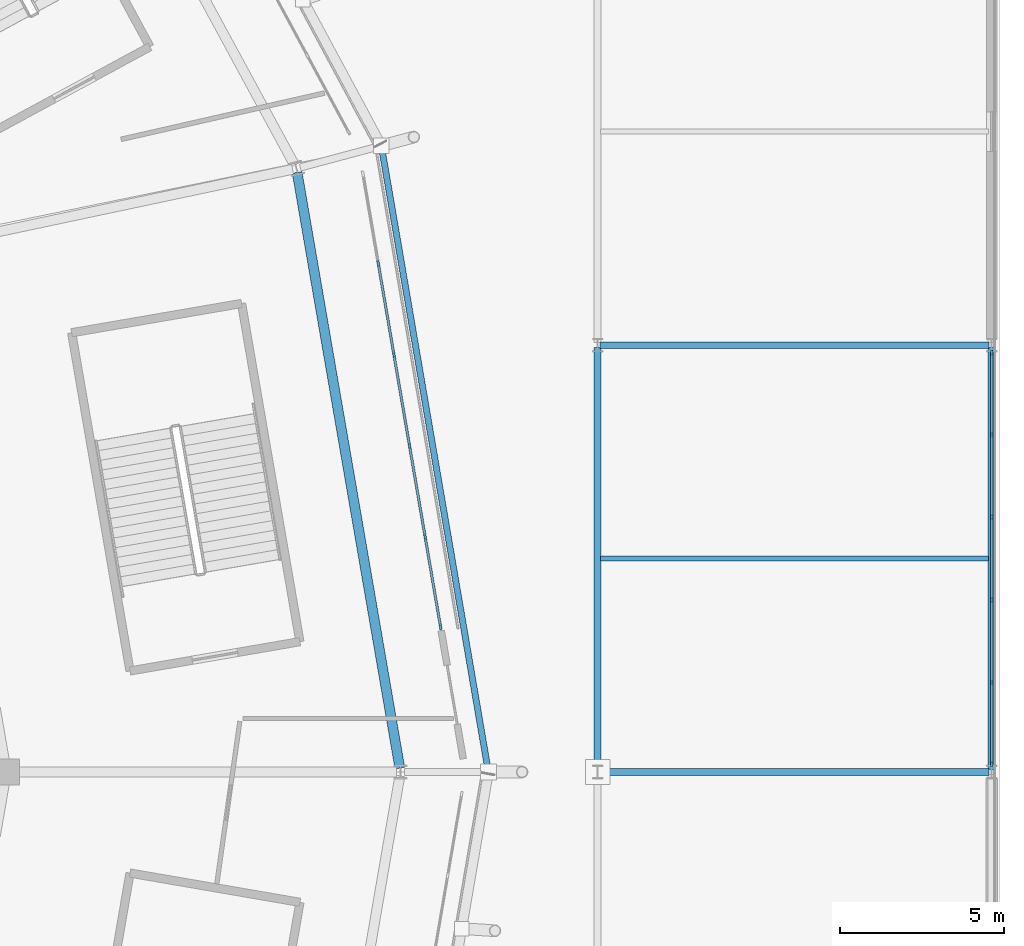
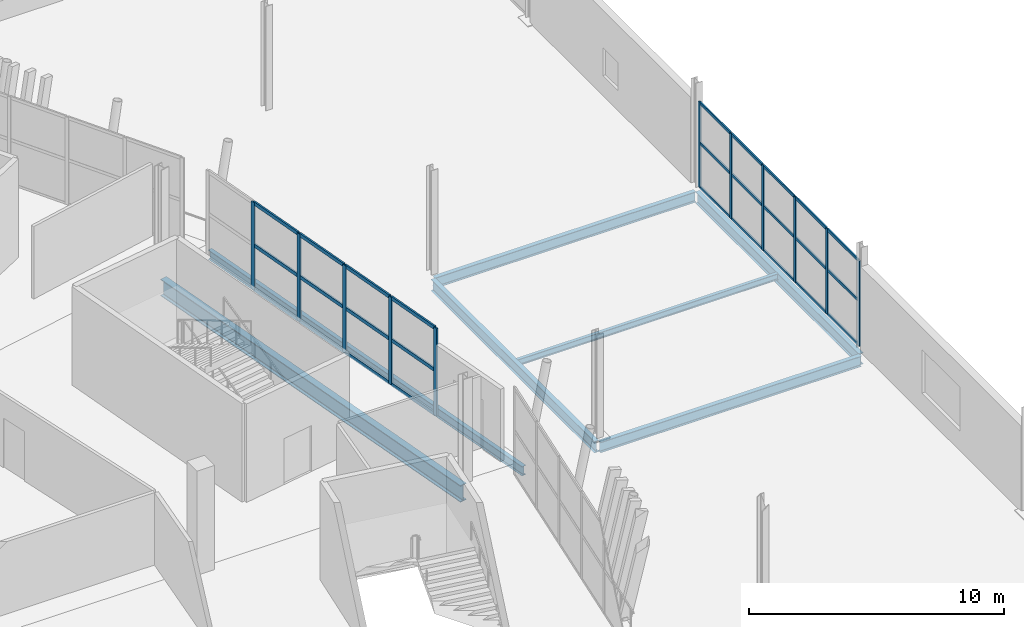
# One storey, part 66 of 179: 38 members, 7 beams, 2 elements without a shape of their own.
"""IFC4 building model written with IfcOpenShell, lengths in metres."""

from ifc_helpers import new_model, si_unit, direction, frame, origin, origin_2d, place, context, subcontext, project, spatial, rectangle, i_section, extrude, material, material_profile, profile_set, type_object, element, aggregate, save


model = new_model("IFC4")

# Units and contexts
model_context = context("Model", 3, precision=1e-05, world=origin(), true_north=direction((0.0, 1.0)))
body_context = subcontext(model_context, "Body", "Model", "MODEL_VIEW")
ifc_project = project(units=[si_unit("LENGTHUNIT", "METRE"), si_unit("AREAUNIT", "SQUARE_METRE"), si_unit("VOLUMEUNIT", "CUBIC_METRE"), si_unit("PLANEANGLEUNIT", "RADIAN"), si_unit("MASSUNIT", "GRAM", prefix="KILO")], contexts=[model_context])

# Site, building, storey
site_placement = place(None, origin())
site = spatial("IfcSite", under=ifc_project, at=site_placement, CompositionType="ELEMENT")
building_placement = place(site_placement, origin())
building = spatial("IfcBuilding", under=site, at=building_placement, Name="Zlatoyarsky Gate Stadium", CompositionType="ELEMENT")
storey_placement = place(building_placement, frame((0.0, 0.0, 10.60009765625)))
storey = spatial("IfcBuildingStorey", under=building, at=storey_placement, Name="L02", CompositionType="ELEMENT", Elevation=10.60009765625)

# Curtain wall, members
ifc_material_1 = material(Name="Thermally broken anodised aluminium curtain wall", Category="aluminium")
curtain_wall_type_1 = type_object("IfcCurtainWallType", Name="MONUMENTAL ARCHED GATE GLAZING UPPER", PredefinedType="USERDEFINED", material=ifc_material_1)
curtain_wall_1_placement = place(storey_placement, origin())
curtain_wall_1 = element("IfcCurtainWall", 1, at=curtain_wall_1_placement, inside=storey, type_object=curtain_wall_type_1, Name="Curtain wall CW-L02-00", ObjectType="ARCHED GATE GLAZING", PredefinedType="USERDEFINED")
ifc_material_2 = material(Name="Anodised aluminium 6063-T6", Category="aluminium")
ifc_material_profile_1 = material_profile(ifc_material_2, rectangle(XDim=0.074951171875, YDim=0.18994140625, at=origin_2d()), Name="ALU 75X190")
ifc_profile_set_1 = profile_set([ifc_material_profile_1], Name="Anodised aluminium 6063-T6")
member_type_1 = type_object("IfcMemberType", Name="ALUMINIUM GATE MULLION 75X190", PredefinedType="MULLION", material=ifc_profile_set_1)
member_1_placement = place(storey_placement, frame((205.218017578125, 84.423095703125, 0.0), z_axis=(0.0, 0.0, 1.0), x_axis=(-0.985636901617, -0.168878353177, 0.0)))
member_1 = element("IfcMember", 2, at=member_1_placement, type_object=member_type_1, Name="CW-AG2 mullion 1", PredefinedType="MULLION", context=body_context, shape_type="SweptSolid", body=[
    extrude(rectangle(XDim=0.074951171875, YDim=0.18994140625, at=origin_2d()), origin(), (0.0, 0.0, 1.0), 4.199951171875),
])
member_2_placement = place(storey_placement, frame((204.74951171875, 87.158203125, 0.0), z_axis=(0.0, 0.0, 1.0), x_axis=(-0.985636901617, -0.168878353177, 0.0)))
member_2 = element("IfcMember", 3, at=member_2_placement, type_object=member_type_1, Name="CW-AG2 mullion 2", PredefinedType="MULLION", context=body_context, shape_type="SweptSolid", body=[
    extrude(rectangle(XDim=0.074951171875, YDim=0.18994140625, at=origin_2d()), origin(), (0.0, 0.0, 1.0), 4.199951171875),
])
member_3_placement = place(storey_placement, frame((204.2744140625, 89.930419921875, 0.0), z_axis=(0.0, 0.0, 1.0), x_axis=(-0.985636901617, -0.168878353177, 0.0)))
member_3 = element("IfcMember", 4, at=member_3_placement, type_object=member_type_1, Name="CW-AG2 mullion 3", PredefinedType="MULLION", context=body_context, shape_type="SweptSolid", body=[
    extrude(rectangle(XDim=0.074951171875, YDim=0.18994140625, at=origin_2d()), origin(), (0.0, 0.0, 1.0), 4.199951171875),
])
member_4_placement = place(storey_placement, frame((203.799560546875, 92.70263671875, 0.0), z_axis=(0.0, 0.0, 1.0), x_axis=(-0.985636901617, -0.168878353177, 0.0)))
member_4 = element("IfcMember", 5, at=member_4_placement, type_object=member_type_1, Name="CW-AG2 mullion 4", PredefinedType="MULLION", context=body_context, shape_type="SweptSolid", body=[
    extrude(rectangle(XDim=0.074951171875, YDim=0.18994140625, at=origin_2d()), origin(), (0.0, 0.0, 1.0), 4.199951171875),
])
member_5_placement = place(storey_placement, frame((203.324462890625, 95.474853515625, 0.0), z_axis=(0.0, 0.0, 1.0), x_axis=(-0.985636901617, -0.168878353177, 0.0)))
member_5 = element("IfcMember", 6, at=member_5_placement, type_object=member_type_1, Name="CW-AG2 mullion 5", PredefinedType="MULLION", context=body_context, shape_type="SweptSolid", body=[
    extrude(rectangle(XDim=0.074951171875, YDim=0.18994140625, at=origin_2d()), origin(), (0.0, 0.0, 1.0), 4.199951171875),
])
ifc_material_profile_2 = material_profile(ifc_material_2, rectangle(XDim=0.074951171875, YDim=0.169921875, at=origin_2d()), Name="ALU 75X170")
ifc_profile_set_2 = profile_set([ifc_material_profile_2], Name="Anodised aluminium 6063-T6")
member_type_2 = type_object("IfcMemberType", Name="ALUMINIUM GATE TRANSOM 75X170", PredefinedType="USERDEFINED", material=ifc_profile_set_2)
member_6_placement = place(storey_placement, frame((205.211669921875, 84.4599609375, 0.037353515625), z_axis=(-0.168810726002, 0.985648486422, 0.0), x_axis=(-0.985648486422, -0.168810726002, 0.0)))
member_6 = element("IfcMember", 7, at=member_6_placement, type_object=member_type_2, Name="CW-AG2 transom 1.1", ObjectType="TRANSOM", PredefinedType="USERDEFINED", context=body_context, shape_type="SweptSolid", body=[
    extrude(rectangle(XDim=0.074951171875, YDim=0.169921875, at=origin_2d()), origin(), (0.0, 0.0, 1.0), 2.7001953125),
])
member_7_placement = place(storey_placement, frame((205.211669921875, 84.4599609375, 2.14990234375), z_axis=(-0.168810726002, 0.985648486422, 0.0), x_axis=(-0.985648486422, -0.168810726002, 0.0)))
member_7 = element("IfcMember", 8, at=member_7_placement, type_object=member_type_2, Name="CW-AG2 transom 1.2", ObjectType="TRANSOM", PredefinedType="USERDEFINED", context=body_context, shape_type="SweptSolid", body=[
    extrude(rectangle(XDim=0.074951171875, YDim=0.169921875, at=origin_2d()), origin(), (0.0, 0.0, 1.0), 2.7001953125),
])
member_8_placement = place(storey_placement, frame((205.211669921875, 84.4599609375, 4.162353515625), z_axis=(-0.168810726002, 0.985648486422, 0.0), x_axis=(-0.985648486422, -0.168810726002, 0.0)))
member_8 = element("IfcMember", 9, at=member_8_placement, type_object=member_type_2, Name="CW-AG2 transom 1.3", ObjectType="TRANSOM", PredefinedType="USERDEFINED", context=body_context, shape_type="SweptSolid", body=[
    extrude(rectangle(XDim=0.074951171875, YDim=0.169921875, at=origin_2d()), origin(), (0.0, 0.0, 1.0), 2.7001953125),
])
member_9_placement = place(storey_placement, frame((204.7431640625, 87.1953125, 0.037353515625), z_axis=(-0.168909358397, 0.985631588701, 0.0), x_axis=(-0.985631588701, -0.168909358397, 0.0)))
member_9 = element("IfcMember", 10, at=member_9_placement, type_object=member_type_2, Name="CW-AG2 transom 2.1", ObjectType="TRANSOM", PredefinedType="USERDEFINED", context=body_context, shape_type="SweptSolid", body=[
    extrude(rectangle(XDim=0.074951171875, YDim=0.169921875, at=origin_2d()), origin(), (0.0, 0.0, 1.0), 2.737548828125),
])
member_10_placement = place(storey_placement, frame((204.7431640625, 87.1953125, 2.14990234375), z_axis=(-0.168909358397, 0.985631588701, 0.0), x_axis=(-0.985631588701, -0.168909358397, 0.0)))
member_10 = element("IfcMember", 11, at=member_10_placement, type_object=member_type_2, Name="CW-AG2 transom 2.2", ObjectType="TRANSOM", PredefinedType="USERDEFINED", context=body_context, shape_type="SweptSolid", body=[
    extrude(rectangle(XDim=0.074951171875, YDim=0.169921875, at=origin_2d()), origin(), (0.0, 0.0, 1.0), 2.737548828125),
])
member_11_placement = place(storey_placement, frame((204.7431640625, 87.1953125, 4.162353515625), z_axis=(-0.168909358397, 0.985631588701, 0.0), x_axis=(-0.985631588701, -0.168909358397, 0.0)))
member_11 = element("IfcMember", 12, at=member_11_placement, type_object=member_type_2, Name="CW-AG2 transom 2.3", ObjectType="TRANSOM", PredefinedType="USERDEFINED", context=body_context, shape_type="SweptSolid", body=[
    extrude(rectangle(XDim=0.074951171875, YDim=0.169921875, at=origin_2d()), origin(), (0.0, 0.0, 1.0), 2.737548828125),
])
member_12_placement = place(storey_placement, frame((204.26806640625, 89.96728515625, 0.037353515625), z_axis=(-0.168822719527, 0.985646432232, 0.0), x_axis=(-0.985646432232, -0.168822719527, 0.0)))
member_12 = element("IfcMember", 13, at=member_12_placement, type_object=member_type_2, Name="CW-AG2 transom 3.1", ObjectType="TRANSOM", PredefinedType="USERDEFINED", context=body_context, shape_type="SweptSolid", body=[
    extrude(rectangle(XDim=0.074951171875, YDim=0.169921875, at=origin_2d()), origin(), (0.0, 0.0, 1.0), 2.737548828125),
])
member_13_placement = place(storey_placement, frame((204.26806640625, 89.96728515625, 2.14990234375), z_axis=(-0.168822719527, 0.985646432232, 0.0), x_axis=(-0.985646432232, -0.168822719527, 0.0)))
member_13 = element("IfcMember", 14, at=member_13_placement, type_object=member_type_2, Name="CW-AG2 transom 3.2", ObjectType="TRANSOM", PredefinedType="USERDEFINED", context=body_context, shape_type="SweptSolid", body=[
    extrude(rectangle(XDim=0.074951171875, YDim=0.169921875, at=origin_2d()), origin(), (0.0, 0.0, 1.0), 2.737548828125),
])
member_14_placement = place(storey_placement, frame((204.26806640625, 89.96728515625, 4.162353515625), z_axis=(-0.168822719527, 0.985646432232, 0.0), x_axis=(-0.985646432232, -0.168822719527, 0.0)))
member_14 = element("IfcMember", 15, at=member_14_placement, type_object=member_type_2, Name="CW-AG2 transom 3.3", ObjectType="TRANSOM", PredefinedType="USERDEFINED", context=body_context, shape_type="SweptSolid", body=[
    extrude(rectangle(XDim=0.074951171875, YDim=0.169921875, at=origin_2d()), origin(), (0.0, 0.0, 1.0), 2.737548828125),
])
member_15_placement = place(storey_placement, frame((203.793212890625, 92.739501953125, 0.037353515625), z_axis=(-0.168909358397, 0.985631588701, 0.0), x_axis=(-0.985631588701, -0.168909358397, 0.0)))
member_15 = element("IfcMember", 16, at=member_15_placement, type_object=member_type_2, Name="CW-AG2 transom 4.1", ObjectType="TRANSOM", PredefinedType="USERDEFINED", context=body_context, shape_type="SweptSolid", body=[
    extrude(rectangle(XDim=0.074951171875, YDim=0.169921875, at=origin_2d()), origin(), (0.0, 0.0, 1.0), 2.737548828125),
])
member_16_placement = place(storey_placement, frame((203.793212890625, 92.739501953125, 2.14990234375), z_axis=(-0.168909358397, 0.985631588701, 0.0), x_axis=(-0.985631588701, -0.168909358397, 0.0)))
member_16 = element("IfcMember", 17, at=member_16_placement, type_object=member_type_2, Name="CW-AG2 transom 4.2", ObjectType="TRANSOM", PredefinedType="USERDEFINED", context=body_context, shape_type="SweptSolid", body=[
    extrude(rectangle(XDim=0.074951171875, YDim=0.169921875, at=origin_2d()), origin(), (0.0, 0.0, 1.0), 2.737548828125),
])
member_17_placement = place(storey_placement, frame((203.793212890625, 92.739501953125, 4.162353515625), z_axis=(-0.168909358397, 0.985631588701, 0.0), x_axis=(-0.985631588701, -0.168909358397, 0.0)))
member_17 = element("IfcMember", 18, at=member_17_placement, type_object=member_type_2, Name="CW-AG2 transom 4.3", ObjectType="TRANSOM", PredefinedType="USERDEFINED", context=body_context, shape_type="SweptSolid", body=[
    extrude(rectangle(XDim=0.074951171875, YDim=0.169921875, at=origin_2d()), origin(), (0.0, 0.0, 1.0), 2.737548828125),
])
aggregate(curtain_wall_1, [member_1, member_2, member_3, member_4, member_5, member_6, member_7, member_8, member_9, member_10, member_11, member_12, member_13, member_14, member_15, member_16, member_17])

curtain_wall_type_2 = type_object("IfcCurtainWallType", Name="WINTER GARDEN CONSERVATORY GLAZING", PredefinedType="USERDEFINED", material=ifc_material_1)
curtain_wall_2_placement = place(storey_placement, origin())
curtain_wall_2 = element("IfcCurtainWall", 19, at=curtain_wall_2_placement, inside=storey, type_object=curtain_wall_type_2, Name="Curtain wall CW-V5_EAST-L02-184", ObjectType="UNITISED GLAZING", PredefinedType="USERDEFINED")
ifc_material_profile_3 = material_profile(ifc_material_2, rectangle(XDim=0.06494140625, YDim=0.159912109375, at=origin_2d()), Name="ALU 65X160")
ifc_profile_set_3 = profile_set([ifc_material_profile_3], Name="Anodised aluminium 6063-T6")
member_type_3 = type_object("IfcMemberType", Name="ALUMINIUM MULLION 65X160", PredefinedType="MULLION", material=ifc_profile_set_3)
member_18_placement = place(storey_placement, frame((222.0, 80.244384765625, 0.0), z_axis=(0.0, 0.0, 1.0), x_axis=(-1.0, 0.0, 0.0)))
member_18 = element("IfcMember", 20, at=member_18_placement, type_object=member_type_3, Name="CW-WG1 mullion 1", PredefinedType="MULLION", context=body_context, shape_type="SweptSolid", body=[
    extrude(rectangle(XDim=0.06494140625, YDim=0.159912109375, at=origin_2d()), origin(), (0.0, 0.0, 1.0), 4.099853515625),
])
member_19_placement = place(storey_placement, frame((222.0, 82.727294921875, 0.0), z_axis=(0.0, 0.0, 1.0), x_axis=(-1.0, 0.0, 0.0)))
member_19 = element("IfcMember", 21, at=member_19_placement, type_object=member_type_3, Name="CW-WG1 mullion 2", PredefinedType="MULLION", context=body_context, shape_type="SweptSolid", body=[
    extrude(rectangle(XDim=0.06494140625, YDim=0.159912109375, at=origin_2d()), origin(), (0.0, 0.0, 1.0), 4.099853515625),
])
member_20_placement = place(storey_placement, frame((222.0, 85.242431640625, 0.0), z_axis=(0.0, 0.0, 1.0), x_axis=(-1.0, 0.0, 0.0)))
member_20 = element("IfcMember", 22, at=member_20_placement, type_object=member_type_3, Name="CW-WG1 mullion 3", PredefinedType="MULLION", context=body_context, shape_type="SweptSolid", body=[
    extrude(rectangle(XDim=0.06494140625, YDim=0.159912109375, at=origin_2d()), origin(), (0.0, 0.0, 1.0), 4.099853515625),
])
member_21_placement = place(storey_placement, frame((222.0, 87.757568359375, 0.0), z_axis=(0.0, 0.0, 1.0), x_axis=(-1.0, 0.0, 0.0)))
member_21 = element("IfcMember", 23, at=member_21_placement, type_object=member_type_3, Name="CW-WG1 mullion 4", PredefinedType="MULLION", context=body_context, shape_type="SweptSolid", body=[
    extrude(rectangle(XDim=0.06494140625, YDim=0.159912109375, at=origin_2d()), origin(), (0.0, 0.0, 1.0), 4.099853515625),
])
member_22_placement = place(storey_placement, frame((222.0, 90.272705078125, 0.0), z_axis=(0.0, 0.0, 1.0), x_axis=(-1.0, 0.0, 0.0)))
member_22 = element("IfcMember", 24, at=member_22_placement, type_object=member_type_3, Name="CW-WG1 mullion 5", PredefinedType="MULLION", context=body_context, shape_type="SweptSolid", body=[
    extrude(rectangle(XDim=0.06494140625, YDim=0.159912109375, at=origin_2d()), origin(), (0.0, 0.0, 1.0), 4.099853515625),
])
member_23_placement = place(storey_placement, frame((222.0, 92.755615234375, 0.0), z_axis=(0.0, 0.0, 1.0), x_axis=(-1.0, 0.0, 0.0)))
member_23 = element("IfcMember", 25, at=member_23_placement, type_object=member_type_3, Name="CW-WG1 mullion 6", PredefinedType="MULLION", context=body_context, shape_type="SweptSolid", body=[
    extrude(rectangle(XDim=0.06494140625, YDim=0.159912109375, at=origin_2d()), origin(), (0.0, 0.0, 1.0), 4.099853515625),
])
ifc_material_profile_4 = material_profile(ifc_material_2, rectangle(XDim=0.06494140625, YDim=0.139892578125, at=origin_2d()), Name="ALU 65X140")
ifc_profile_set_4 = profile_set([ifc_material_profile_4], Name="Anodised aluminium 6063-T6")
member_type_4 = type_object("IfcMemberType", Name="ALUMINIUM TRANSOM 65X140", PredefinedType="USERDEFINED", material=ifc_profile_set_4)
member_24_placement = place(storey_placement, frame((222.0, 80.277099609375, 0.032470703125), z_axis=(0.0, 1.0, 0.0), x_axis=(-1.0, 0.0, 0.0)))
member_24 = element("IfcMember", 26, at=member_24_placement, type_object=member_type_4, Name="CW-WG1 transom 1.1", ObjectType="TRANSOM", PredefinedType="USERDEFINED", context=body_context, shape_type="SweptSolid", body=[
    extrude(rectangle(XDim=0.06494140625, YDim=0.139892578125, at=origin_2d()), origin(), (0.0, 0.0, 1.0), 2.41748046875),
])
member_25_placement = place(storey_placement, frame((222.0, 80.277099609375, 2.14990234375), z_axis=(0.0, 1.0, 0.0), x_axis=(-1.0, 0.0, 0.0)))
member_25 = element("IfcMember", 27, at=member_25_placement, type_object=member_type_4, Name="CW-WG1 transom 1.2", ObjectType="TRANSOM", PredefinedType="USERDEFINED", context=body_context, shape_type="SweptSolid", body=[
    extrude(rectangle(XDim=0.06494140625, YDim=0.139892578125, at=origin_2d()), origin(), (0.0, 0.0, 1.0), 2.41748046875),
])
member_26_placement = place(storey_placement, frame((222.0, 80.277099609375, 4.0673828125), z_axis=(0.0, 1.0, 0.0), x_axis=(-1.0, 0.0, 0.0)))
member_26 = element("IfcMember", 28, at=member_26_placement, type_object=member_type_4, Name="CW-WG1 transom 1.3", ObjectType="TRANSOM", PredefinedType="USERDEFINED", context=body_context, shape_type="SweptSolid", body=[
    extrude(rectangle(XDim=0.06494140625, YDim=0.139892578125, at=origin_2d()), origin(), (0.0, 0.0, 1.0), 2.41748046875),
])
member_27_placement = place(storey_placement, frame((222.0, 82.759765625, 0.032470703125), z_axis=(0.0, 1.0, 0.0), x_axis=(-1.0, 0.0, 0.0)))
member_27 = element("IfcMember", 29, at=member_27_placement, type_object=member_type_4, Name="CW-WG1 transom 2.1", ObjectType="TRANSOM", PredefinedType="USERDEFINED", context=body_context, shape_type="SweptSolid", body=[
    extrude(rectangle(XDim=0.06494140625, YDim=0.139892578125, at=origin_2d()), origin(), (0.0, 0.0, 1.0), 2.4501953125),
])
member_28_placement = place(storey_placement, frame((222.0, 82.759765625, 2.14990234375), z_axis=(0.0, 1.0, 0.0), x_axis=(-1.0, 0.0, 0.0)))
member_28 = element("IfcMember", 30, at=member_28_placement, type_object=member_type_4, Name="CW-WG1 transom 2.2", ObjectType="TRANSOM", PredefinedType="USERDEFINED", context=body_context, shape_type="SweptSolid", body=[
    extrude(rectangle(XDim=0.06494140625, YDim=0.139892578125, at=origin_2d()), origin(), (0.0, 0.0, 1.0), 2.4501953125),
])
member_29_placement = place(storey_placement, frame((222.0, 82.759765625, 4.0673828125), z_axis=(0.0, 1.0, 0.0), x_axis=(-1.0, 0.0, 0.0)))
member_29 = element("IfcMember", 31, at=member_29_placement, type_object=member_type_4, Name="CW-WG1 transom 2.3", ObjectType="TRANSOM", PredefinedType="USERDEFINED", context=body_context, shape_type="SweptSolid", body=[
    extrude(rectangle(XDim=0.06494140625, YDim=0.139892578125, at=origin_2d()), origin(), (0.0, 0.0, 1.0), 2.4501953125),
])
member_30_placement = place(storey_placement, frame((222.0, 85.27490234375, 0.032470703125), z_axis=(0.0, 1.0, 0.0), x_axis=(-1.0, 0.0, 0.0)))
member_30 = element("IfcMember", 32, at=member_30_placement, type_object=member_type_4, Name="CW-WG1 transom 3.1", ObjectType="TRANSOM", PredefinedType="USERDEFINED", context=body_context, shape_type="SweptSolid", body=[
    extrude(rectangle(XDim=0.06494140625, YDim=0.139892578125, at=origin_2d()), origin(), (0.0, 0.0, 1.0), 2.4501953125),
])
member_31_placement = place(storey_placement, frame((222.0, 85.27490234375, 2.14990234375), z_axis=(0.0, 1.0, 0.0), x_axis=(-1.0, 0.0, 0.0)))
member_31 = element("IfcMember", 33, at=member_31_placement, type_object=member_type_4, Name="CW-WG1 transom 3.2", ObjectType="TRANSOM", PredefinedType="USERDEFINED", context=body_context, shape_type="SweptSolid", body=[
    extrude(rectangle(XDim=0.06494140625, YDim=0.139892578125, at=origin_2d()), origin(), (0.0, 0.0, 1.0), 2.4501953125),
])
member_32_placement = place(storey_placement, frame((222.0, 85.27490234375, 4.0673828125), z_axis=(0.0, 1.0, 0.0), x_axis=(-1.0, 0.0, 0.0)))
member_32 = element("IfcMember", 34, at=member_32_placement, type_object=member_type_4, Name="CW-WG1 transom 3.3", ObjectType="TRANSOM", PredefinedType="USERDEFINED", context=body_context, shape_type="SweptSolid", body=[
    extrude(rectangle(XDim=0.06494140625, YDim=0.139892578125, at=origin_2d()), origin(), (0.0, 0.0, 1.0), 2.4501953125),
])
member_33_placement = place(storey_placement, frame((222.0, 87.7900390625, 0.032470703125), z_axis=(0.0, 1.0, 0.0), x_axis=(-1.0, 0.0, 0.0)))
member_33 = element("IfcMember", 35, at=member_33_placement, type_object=member_type_4, Name="CW-WG1 transom 4.1", ObjectType="TRANSOM", PredefinedType="USERDEFINED", context=body_context, shape_type="SweptSolid", body=[
    extrude(rectangle(XDim=0.06494140625, YDim=0.139892578125, at=origin_2d()), origin(), (0.0, 0.0, 1.0), 2.4501953125),
])
member_34_placement = place(storey_placement, frame((222.0, 87.7900390625, 2.14990234375), z_axis=(0.0, 1.0, 0.0), x_axis=(-1.0, 0.0, 0.0)))
member_34 = element("IfcMember", 36, at=member_34_placement, type_object=member_type_4, Name="CW-WG1 transom 4.2", ObjectType="TRANSOM", PredefinedType="USERDEFINED", context=body_context, shape_type="SweptSolid", body=[
    extrude(rectangle(XDim=0.06494140625, YDim=0.139892578125, at=origin_2d()), origin(), (0.0, 0.0, 1.0), 2.4501953125),
])
member_35_placement = place(storey_placement, frame((222.0, 87.7900390625, 4.0673828125), z_axis=(0.0, 1.0, 0.0), x_axis=(-1.0, 0.0, 0.0)))
member_35 = element("IfcMember", 37, at=member_35_placement, type_object=member_type_4, Name="CW-WG1 transom 4.3", ObjectType="TRANSOM", PredefinedType="USERDEFINED", context=body_context, shape_type="SweptSolid", body=[
    extrude(rectangle(XDim=0.06494140625, YDim=0.139892578125, at=origin_2d()), origin(), (0.0, 0.0, 1.0), 2.4501953125),
])
member_36_placement = place(storey_placement, frame((222.0, 90.305419921875, 0.032470703125), z_axis=(0.0, 1.0, 0.0), x_axis=(-1.0, 0.0, 0.0)))
member_36 = element("IfcMember", 38, at=member_36_placement, type_object=member_type_4, Name="CW-WG1 transom 5.1", ObjectType="TRANSOM", PredefinedType="USERDEFINED", context=body_context, shape_type="SweptSolid", body=[
    extrude(rectangle(XDim=0.06494140625, YDim=0.139892578125, at=origin_2d()), origin(), (0.0, 0.0, 1.0), 2.41748046875),
])
member_37_placement = place(storey_placement, frame((222.0, 90.305419921875, 2.14990234375), z_axis=(0.0, 1.0, 0.0), x_axis=(-1.0, 0.0, 0.0)))
member_37 = element("IfcMember", 39, at=member_37_placement, type_object=member_type_4, Name="CW-WG1 transom 5.2", ObjectType="TRANSOM", PredefinedType="USERDEFINED", context=body_context, shape_type="SweptSolid", body=[
    extrude(rectangle(XDim=0.06494140625, YDim=0.139892578125, at=origin_2d()), origin(), (0.0, 0.0, 1.0), 2.41748046875),
])
member_38_placement = place(storey_placement, frame((222.0, 90.305419921875, 4.0673828125), z_axis=(0.0, 1.0, 0.0), x_axis=(-1.0, 0.0, 0.0)))
member_38 = element("IfcMember", 40, at=member_38_placement, type_object=member_type_4, Name="CW-WG1 transom 5.3", ObjectType="TRANSOM", PredefinedType="USERDEFINED", context=body_context, shape_type="SweptSolid", body=[
    extrude(rectangle(XDim=0.06494140625, YDim=0.139892578125, at=origin_2d()), origin(), (0.0, 0.0, 1.0), 2.41748046875),
])
aggregate(curtain_wall_2, [member_18, member_19, member_20, member_21, member_22, member_23, member_24, member_25, member_26, member_27, member_28, member_29, member_30, member_31, member_32, member_33, member_34, member_35, member_36, member_37, member_38])

# Beams
ifc_material_3 = material(Name="Steel S355", Category="steel")
ifc_material_profile_5 = material_profile(ifc_material_3, i_section(OverallWidth=0.18994140625, OverallDepth=0.449951171875, WebThickness=0.009521484375, FlangeThickness=0.0146484375, FilletRadius=0.02099609375, at=origin_2d()), Name="IPE 450")
ifc_profile_set_5 = profile_set([ifc_material_profile_5], Name="Steel S355")
beam_type_1 = type_object("IfcBeamType", Name="STEEL EDGE SPANDREL IPE 450", PredefinedType="SPANDREL", material=ifc_profile_set_5)
beam_1_placement = place(storey_placement, frame((206.672607421875, 80.019775390625, -0.505126953125), z_axis=(-0.168523637313, 0.985697612692, 0.0), x_axis=(-0.985697612692, -0.168523637313, 0.0)))
element("IfcBeam", 41, at=beam_1_placement, inside=storey, type_object=beam_type_1, Name="Beam SP-IPE450 BM-L02-SPD-00", PredefinedType="SPANDREL", context=body_context, shape_type="SweptSolid", body=[
    extrude(i_section(OverallWidth=0.18994140625, OverallDepth=0.449951171875, WebThickness=0.009521484375, FlangeThickness=0.0146484375, FilletRadius=0.02099609375, at=origin_2d()), origin(), (0.0, 0.0, 1.0), 19.305419921875),
])
ifc_material_profile_6 = material_profile(ifc_material_3, i_section(OverallWidth=0.199951171875, OverallDepth=0.5, WebThickness=0.01025390625, FlangeThickness=0.01611328125, FilletRadius=0.02099609375, at=origin_2d()), Name="IPE 500")
ifc_profile_set_6 = profile_set([ifc_material_profile_6], Name="Steel S355")
beam_type_2 = type_object("IfcBeamType", Name="STEEL FLOOR BEAM IPE 500", PredefinedType="BEAM", material=ifc_profile_set_6)
for number, where, z_axis, x_axis, name in (
    (42, (210.080078125, 80.0, -0.530029296875), (1.0, 0.0, 0.0), (0.0, 1.0, 0.0), "Beam B-IPE500 BM-L02-WGX-18-H"),
    (43, (210.080078125, 93.0, -0.530029296875), (1.0, 0.0, 0.0), (0.0, 1.0, 0.0), "Beam B-IPE500 BM-L02-WGX-18-J"),
):
    element("IfcBeam", number, at=place(storey_placement, frame(where, z_axis=z_axis, x_axis=x_axis)), inside=storey, type_object=beam_type_2, Name=name, PredefinedType="BEAM", context=body_context, shape_type="SweptSolid", body=[
        extrude(i_section(OverallWidth=0.199951171875, OverallDepth=0.5, WebThickness=0.01025390625, FlangeThickness=0.01611328125, FilletRadius=0.02099609375, at=origin_2d()), origin(), (0.0, 0.0, 1.0), 11.83984375),
    ])
ifc_material_profile_7 = material_profile(ifc_material_3, i_section(OverallWidth=0.2099609375, OverallDepth=0.550048828125, WebThickness=0.010986328125, FlangeThickness=0.01708984375, FilletRadius=0.02392578125, at=origin_2d()), Name="IPE 550")
ifc_profile_set_7 = profile_set([ifc_material_profile_7], Name="Steel S355")
beam_type_3 = type_object("IfcBeamType", Name="STEEL FLOOR BEAM IPE 550", PredefinedType="BEAM", material=ifc_profile_set_7)
for number, where, z_axis, x_axis, name in (
    (44, (210.0, 80.080078125, -0.55517578125), (0.0, 1.0, 0.0), (-1.0, 0.0, 0.0), "Beam B-IPE550 BM-L02-WGY-18-H"),
    (45, (222.0, 80.080078125, -0.55517578125), (0.0, 1.0, 0.0), (-1.0, 0.0, 0.0), "Beam B-IPE550 BM-L02-WGY-19-H"),
):
    element("IfcBeam", number, at=place(storey_placement, frame(where, z_axis=z_axis, x_axis=x_axis)), inside=storey, type_object=beam_type_3, Name=name, PredefinedType="BEAM", context=body_context, shape_type="SweptSolid", body=[
        extrude(i_section(OverallWidth=0.2099609375, OverallDepth=0.550048828125, WebThickness=0.010986328125, FlangeThickness=0.01708984375, FilletRadius=0.02392578125, at=origin_2d()), origin(), (0.0, 0.0, 1.0), 12.83984375),
    ])
ifc_material_profile_8 = material_profile(ifc_material_3, i_section(OverallWidth=0.300048828125, OverallDepth=0.800048828125, WebThickness=0.017578125, FlangeThickness=0.032958984375, FilletRadius=0.030029296875, at=origin_2d()), Name="HEB 800")
ifc_profile_set_8 = profile_set([ifc_material_profile_8], Name="Steel S355")
beam_type_4 = type_object("IfcBeamType", Name="STEEL PRIMARY GIRDER HEB 800", PredefinedType="BEAM", material=ifc_profile_set_8)
beam_2_placement = place(storey_placement, frame((203.9794921875, 80.118408203125, -0.68017578125), z_axis=(-0.169930456666, 0.985456056807, 0.0), x_axis=(-0.985456056807, -0.169930456666, 0.0)))
element("IfcBeam", 46, at=beam_2_placement, inside=storey, type_object=beam_type_4, Name="Beam G-HEB800 BM-L02-CRC-00", PredefinedType="BEAM", context=body_context, shape_type="SweptSolid", body=[
    extrude(i_section(OverallWidth=0.300048828125, OverallDepth=0.800048828125, WebThickness=0.017578125, FlangeThickness=0.032958984375, FilletRadius=0.030029296875, at=origin_2d()), origin(), (0.0, 0.0, 1.0), 18.4072265625),
])
ifc_material_profile_9 = material_profile(ifc_material_3, i_section(OverallWidth=0.14990234375, OverallDepth=0.300048828125, WebThickness=0.007080078125, FlangeThickness=0.0107421875, FilletRadius=0.014892578125, at=origin_2d()), Name="IPE 300")
ifc_profile_set_9 = profile_set([ifc_material_profile_9], Name="Steel S355")
beam_type_5 = type_object("IfcBeamType", Name="STEEL SECONDARY JOIST IPE 300", PredefinedType="JOIST", material=ifc_profile_set_9)
beam_3_placement = place(storey_placement, frame((210.090087890625, 86.5, -0.43017578125), z_axis=(1.0, 0.0, 0.0), x_axis=(0.0, 1.0, 0.0)))
element("IfcBeam", 47, at=beam_3_placement, inside=storey, type_object=beam_type_5, Name="Beam J-IPE300 JST-L02-18-H", PredefinedType="JOIST", context=body_context, shape_type="SweptSolid", body=[
    extrude(i_section(OverallWidth=0.14990234375, OverallDepth=0.300048828125, WebThickness=0.007080078125, FlangeThickness=0.0107421875, FilletRadius=0.014892578125, at=origin_2d()), origin(), (0.0, 0.0, 1.0), 11.81982421875),
])

save(model, "model.ifc")
